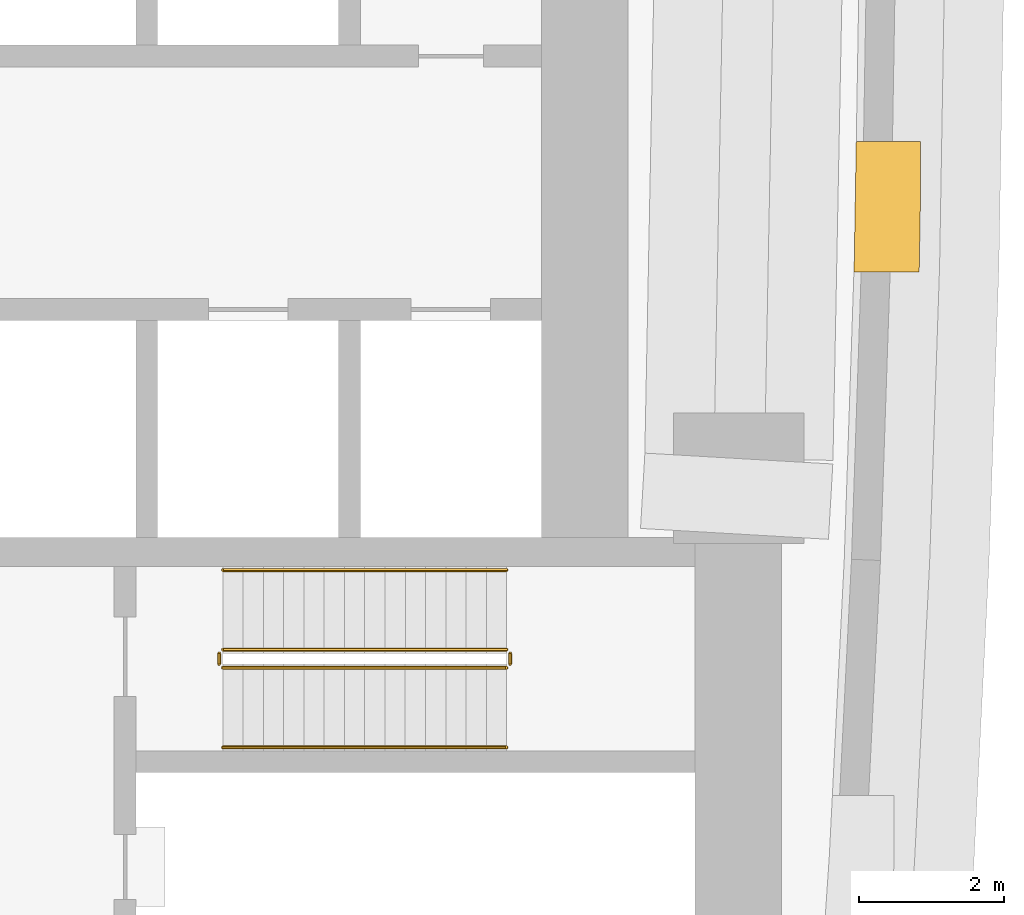
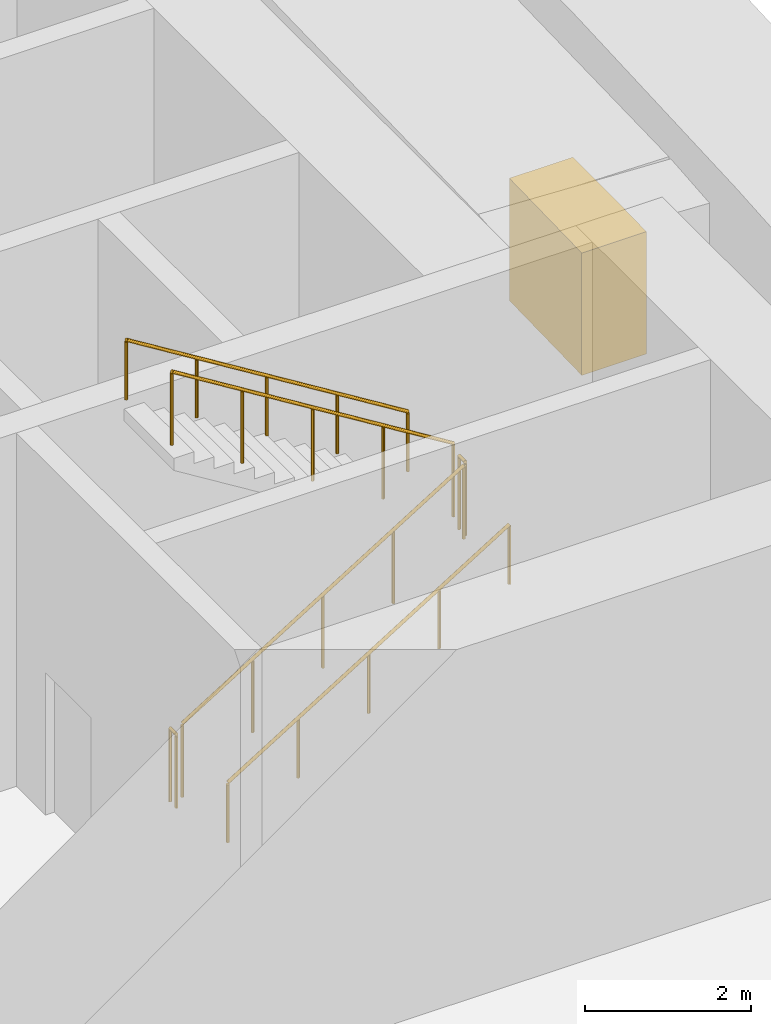
# One storey, part 14 of 17: 6 railings, 1 covering.
"""IFC4 building model written with IfcOpenShell, lengths in metres."""

from ifc_helpers import new_model, si_unit, direction, frame, origin, origin_2d, place, context, subcontext, project, spatial, polyline, circle, outline, extrude, material, layer, layer_set, type_object, element, save


model = new_model("IFC4")

# Units and contexts
model_context = context("Model", 3, precision=1e-05, world=origin(), true_north=direction((0.0, 1.0)))
body_context = subcontext(model_context, "Body", "Model", "MODEL_VIEW")
ifc_project = project(units=[si_unit("LENGTHUNIT", "METRE"), si_unit("AREAUNIT", "SQUARE_METRE"), si_unit("VOLUMEUNIT", "CUBIC_METRE"), si_unit("PLANEANGLEUNIT", "RADIAN"), si_unit("MASSUNIT", "GRAM", prefix="KILO")], contexts=[model_context])

# Site, building, storey
site_placement = place(None, origin())
site = spatial("IfcSite", under=ifc_project, at=site_placement, CompositionType="ELEMENT")
building_placement = place(site_placement, origin())
building = spatial("IfcBuilding", under=site, at=building_placement, Name="Ostrand Prow Hotel Tower", CompositionType="ELEMENT")
storey_placement = place(building_placement, frame((0.0, 0.0, 75.10009765625)))
storey = spatial("IfcBuildingStorey", under=building, at=storey_placement, Name="L17", CompositionType="ELEMENT", Elevation=75.10009765625)

# Covering
ifc_material_1 = material(Name="Limestone cladding", Category="masonry")
ifc_layer = layer(ifc_material_1, 2.0)
ifc_layer_set = layer_set([ifc_layer], Name="Limestone cladding")
covering_type = type_object("IfcCoveringType", Name="Belt lip limestone", PredefinedType="CLADDING", material=ifc_layer_set)
covering_placement = place(storey_placement, origin())
element("IfcCovering", 1, at=covering_placement, inside=storey, type_object=covering_type, Name="Belt fin 11 L17", PredefinedType="CLADDING", context=body_context, shape_type="SweptSolid", body=[
    extrude(outline(polyline([(66.822509765625, -6.16455078125), (66.83544921875, -5.3876953125), (66.83544921875, -4.480224609375), (65.95068359375, -4.480224609375), (65.922607421875, -6.1494140625), (65.918212890625, -6.2802734375), (66.818603515625, -6.2802734375), (66.822021484375, -6.1796875), (66.822509765625, -6.16455078125)])), origin(), (0.0, 0.0, 1.0), 1.7998046875),
])

# Railings
ifc_material_2 = material(Name="Painted steel", Category="steel")
railing_type_1 = type_object("IfcRailingType", Name="Stair guard 1100", PredefinedType="GUARDRAIL", material=ifc_material_2)
railing_1_placement = place(storey_placement, frame((57.199951171875, -11.75, 0.17333984375)))
element("IfcRailing", 2, at=railing_1_placement, inside=storey, type_object=railing_type_1, Name="L17 ST2C stair guard 1", PredefinedType="GUARDRAIL", context=body_context, shape_type="SweptSolid", body=[
    extrude(circle(Radius=0.02392578125, at=origin_2d()), frame((0.0, 0.0, 1.076171875), z_axis=(0.850289973577, 0.0, 0.526314507528), x_axis=(0.0, 1.0, 0.0)), (0.0, 0.0, 1.0), 4.6103515625),
    extrude(circle(Radius=0.02099609375, at=origin_2d()), origin(), (0.0, 0.0, 1.0), 1.052001953125),
    extrude(circle(Radius=0.02099609375, at=origin_2d()), frame((0.97998046875, 0.0, 0.606689453125)), (0.0, 0.0, 1.0), 1.052001953125),
    extrude(circle(Radius=0.02099609375, at=origin_2d()), frame((1.9599609375, 0.0, 1.21337890625)), (0.0, 0.0, 1.0), 1.052001953125),
    extrude(circle(Radius=0.02099609375, at=origin_2d()), frame((2.940185546875, 0.0, 1.81982421875)), (0.0, 0.0, 1.0), 1.052001953125),
    extrude(circle(Radius=0.02099609375, at=origin_2d()), frame((3.920166015625, 0.0, 2.426513671875)), (0.0, 0.0, 1.0), 1.052001953125),
])
railing_2_placement = place(storey_placement, frame((61.169921875, -11.699951171875, 2.599853515625)))
element("IfcRailing", 3, at=railing_2_placement, inside=storey, type_object=railing_type_1, Name="L17 ST2C stair guard 2", PredefinedType="GUARDRAIL", context=body_context, shape_type="SweptSolid", body=[
    extrude(circle(Radius=0.02392578125, at=origin_2d()), frame((0.0, 0.0, 1.076171875), z_axis=(0.0, 1.0, 0.0), x_axis=(-1.0, 0.0, 0.0)), (0.0, 0.0, 1.0), 0.14990234375),
    extrude(circle(Radius=0.02099609375, at=origin_2d()), origin(), (0.0, 0.0, 1.0), 1.052001953125),
    extrude(circle(Radius=0.02099609375, at=origin_2d()), frame((0.0, 0.14990234375, 0.0)), (0.0, 0.0, 1.0), 1.052001953125),
])
railing_3_placement = place(storey_placement, frame((61.1201171875, -11.5, 2.773193359375)))
element("IfcRailing", 4, at=railing_3_placement, inside=storey, type_object=railing_type_1, Name="L17 ST2C stair guard 3", PredefinedType="GUARDRAIL", context=body_context, shape_type="SweptSolid", body=[
    extrude(circle(Radius=0.02392578125, at=origin_2d()), frame((0.0, 0.0, 1.076171875), z_axis=(-0.850266275192, 0.0, 0.526352791643), x_axis=(0.0, -1.0, 0.0)), (0.0, 0.0, 1.0), 4.610595703125),
    extrude(circle(Radius=0.02099609375, at=origin_2d()), origin(), (0.0, 0.0, 1.0), 1.052001953125),
    extrude(circle(Radius=0.02099609375, at=origin_2d()), frame((-0.97998046875, 0.0, 0.606689453125)), (0.0, 0.0, 1.0), 1.052001953125),
    extrude(circle(Radius=0.02099609375, at=origin_2d()), frame((-1.9599609375, 0.0, 1.21337890625)), (0.0, 0.0, 1.0), 1.052001953125),
    extrude(circle(Radius=0.02099609375, at=origin_2d()), frame((-2.940185546875, 0.0, 1.820068359375)), (0.0, 0.0, 1.0), 1.052001953125),
    extrude(circle(Radius=0.02099609375, at=origin_2d()), frame((-3.920166015625, 0.0, 2.4267578125)), (0.0, 0.0, 1.0), 1.052001953125),
])
railing_4_placement = place(storey_placement, frame((57.14990234375, -11.699951171875, 0.0)))
element("IfcRailing", 5, at=railing_4_placement, inside=storey, type_object=railing_type_1, Name="L17 ST2C stair guard 4", PredefinedType="GUARDRAIL", context=body_context, shape_type="SweptSolid", body=[
    extrude(circle(Radius=0.02392578125, at=origin_2d()), frame((0.0, 0.0, 1.076171875), z_axis=(0.0, 1.0, 0.0), x_axis=(-1.0, 0.0, 0.0)), (0.0, 0.0, 1.0), 0.14990234375),
    extrude(circle(Radius=0.02099609375, at=origin_2d()), origin(), (0.0, 0.0, 1.0), 1.052001953125),
    extrude(circle(Radius=0.02099609375, at=origin_2d()), frame((0.0, 0.14990234375, 0.0)), (0.0, 0.0, 1.0), 1.052001953125),
])
ifc_material_3 = material(Name="Stainless steel", Category="steel")
railing_type_2 = type_object("IfcRailingType", Name="Stair handrail 900", PredefinedType="HANDRAIL", material=ifc_material_3)
railing_5_placement = place(storey_placement, frame((57.199951171875, -12.85009765625, 0.17333984375)))
element("IfcRailing", 6, at=railing_5_placement, inside=storey, type_object=railing_type_2, Name="L17 ST2C stair handrail 1", PredefinedType="HANDRAIL", context=body_context, shape_type="SweptSolid", body=[
    extrude(circle(Radius=0.02392578125, at=origin_2d()), frame((0.0, 0.0, 0.8759765625), z_axis=(0.850289973577, 0.0, 0.526314507528), x_axis=(0.0, 1.0, 0.0)), (0.0, 0.0, 1.0), 4.6103515625),
    extrude(circle(Radius=0.02099609375, at=origin_2d()), origin(), (0.0, 0.0, 1.0), 0.851806640625),
    extrude(circle(Radius=0.02099609375, at=origin_2d()), frame((0.97998046875, 0.0, 0.606689453125)), (0.0, 0.0, 1.0), 0.851806640625),
    extrude(circle(Radius=0.02099609375, at=origin_2d()), frame((1.9599609375, 0.0, 1.21337890625)), (0.0, 0.0, 1.0), 0.851806640625),
    extrude(circle(Radius=0.02099609375, at=origin_2d()), frame((2.940185546875, 0.0, 1.81982421875)), (0.0, 0.0, 1.0), 0.851806640625),
    extrude(circle(Radius=0.02099609375, at=origin_2d()), frame((3.920166015625, 0.0, 2.426513671875)), (0.0, 0.0, 1.0), 0.851806640625),
])
railing_6_placement = place(storey_placement, frame((61.1201171875, -10.39990234375, 2.773193359375)))
element("IfcRailing", 7, at=railing_6_placement, inside=storey, type_object=railing_type_2, Name="L17 ST2C stair handrail 2", PredefinedType="HANDRAIL", context=body_context, shape_type="SweptSolid", body=[
    extrude(circle(Radius=0.02392578125, at=origin_2d()), frame((0.0, 0.0, 0.8759765625), z_axis=(-0.850266275192, 0.0, 0.526352791643), x_axis=(0.0, -1.0, 0.0)), (0.0, 0.0, 1.0), 4.610595703125),
    extrude(circle(Radius=0.02099609375, at=origin_2d()), origin(), (0.0, 0.0, 1.0), 0.851806640625),
    extrude(circle(Radius=0.02099609375, at=origin_2d()), frame((-0.97998046875, 0.0, 0.606689453125)), (0.0, 0.0, 1.0), 0.851806640625),
    extrude(circle(Radius=0.02099609375, at=origin_2d()), frame((-1.9599609375, 0.0, 1.21337890625)), (0.0, 0.0, 1.0), 0.851806640625),
    extrude(circle(Radius=0.02099609375, at=origin_2d()), frame((-2.940185546875, 0.0, 1.820068359375)), (0.0, 0.0, 1.0), 0.851806640625),
    extrude(circle(Radius=0.02099609375, at=origin_2d()), frame((-3.920166015625, 0.0, 2.4267578125)), (0.0, 0.0, 1.0), 0.851806640625),
])

save(model, "model.ifc")
